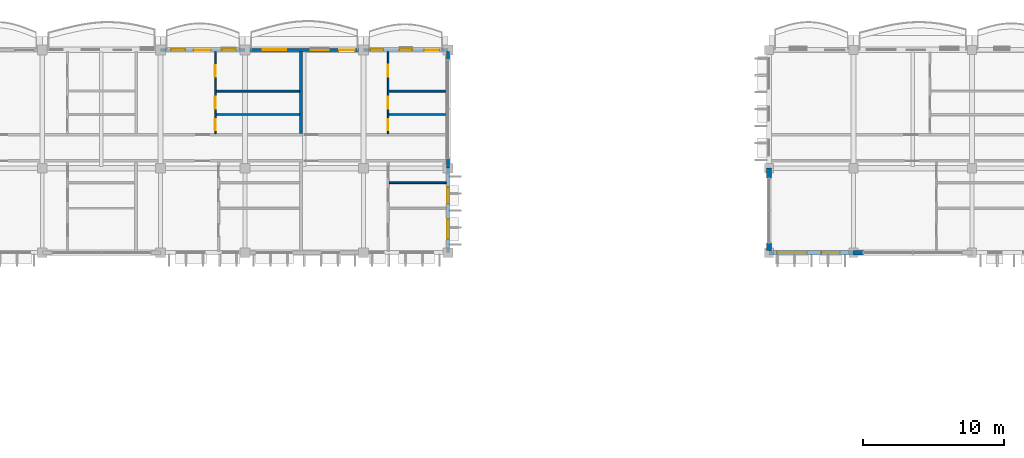
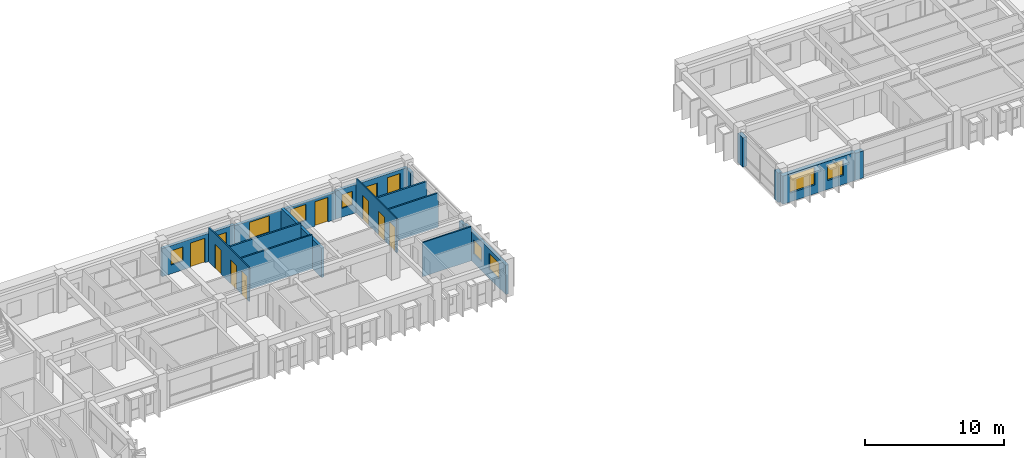
# One storey, part 36 of 79: 18 walls, 10 windows, 9 doors, 19 openings.
"""IFC4 building model written with IfcOpenShell, lengths in metres."""

from ifc_helpers import new_model, si_unit, direction, frame, frame_2d, origin, place, context, subcontext, project, spatial, rectangle, extrude, material, layer, layer_set, type_object, element, fill, save


model = new_model("IFC4")

# Units and contexts
model_context = context("Model", 3, precision=1e-05, world=origin(), true_north=direction((0.0, 1.0)))
body_context = subcontext(model_context, "Body", "Model", "MODEL_VIEW")
ifc_project = project(units=[si_unit("LENGTHUNIT", "METRE"), si_unit("AREAUNIT", "SQUARE_METRE"), si_unit("VOLUMEUNIT", "CUBIC_METRE"), si_unit("PLANEANGLEUNIT", "RADIAN"), si_unit("MASSUNIT", "GRAM", prefix="KILO"), si_unit("THERMODYNAMICTEMPERATUREUNIT", "KELVIN")], contexts=[model_context])

# Site, building, storey
site_placement = place(None, origin())
site = spatial("IfcSite", under=ifc_project, at=site_placement, CompositionType="ELEMENT")
building_placement = place(site_placement, origin())
building = spatial("IfcBuilding", under=site, at=building_placement, Name="Thalorik Housing Commons", CompositionType="ELEMENT")
storey_placement = place(building_placement, frame((0.0, 0.0, 11.39990234375)))
storey = spatial("IfcBuildingStorey", under=building, at=storey_placement, Name="L03", CompositionType="ELEMENT", Elevation=11.39990234375)

# Wall, openings, windows
ifc_material_1 = material(Name="White precast concrete C40/50", Category="concrete")
ifc_layer_1 = layer(ifc_material_1, 0.235107421875, Name="White precast concrete C40/50", Category="concrete")
ifc_layer_set_1 = layer_set([ifc_layer_1], Name="White precast concrete C40/50")
wall_type_1 = type_object("IfcWallType", Name="ARC-WAL-EXT-235", PredefinedType="STANDARD", material=ifc_layer_set_1)
wall_1_placement = place(storey_placement, frame((57.60009765625, 109.199951171875, 0.0), z_axis=(0.0, 0.0, 1.0), x_axis=(0.0, 1.0, 0.0)))
wall_1 = element("IfcWall", 1, at=wall_1_placement, inside=storey, type_object=wall_type_1, Name="L03 Exterior Wall WAL-EXT-L03-A-0090", PredefinedType="STANDARD", context=body_context, shape_type="SweptSolid", body=[
    extrude(rectangle(XDim=6.0, YDim=0.235107421875, at=frame_2d((3.0, 0.0))), origin(), (0.0, 0.0, 1.0), 2.5751953125),
])
opening_1_placement = place(wall_1_placement, frame((0.96533203125, 0.0, 0.780029296875)))
opening_1 = element("IfcOpeningElement", 2, at=opening_1_placement, cuts=wall_1, Name="Opening W-50", PredefinedType="OPENING", context=body_context, shape_type="SweptSolid", body=[
    extrude(rectangle(XDim=1.419921875, YDim=1.3798828125, at=frame_2d((0.7099609375, 0.68994140625))), frame((0.0, 0.12744140625, 0.0), z_axis=(0.0, -1.0, 0.0), x_axis=(1.0, 0.0, 0.0)), (0.0, 0.0, 1.0), 0.255126953125),
])
opening_2_placement = place(wall_1_placement, frame((3.490234375, 0.0, 0.780029296875)))
opening_2 = element("IfcOpeningElement", 3, at=opening_2_placement, cuts=wall_1, Name="Opening W-45", PredefinedType="OPENING", context=body_context, shape_type="SweptSolid", body=[
    extrude(rectangle(XDim=1.14990234375, YDim=1.25, at=frame_2d((0.574951171875, 0.625))), frame((0.0, 0.12744140625, 0.0), z_axis=(0.0, -1.0, 0.0), x_axis=(1.0, 0.0, 0.0)), (0.0, 0.0, 1.0), 0.255126953125),
])
ifc_material_2 = material(Name="Anodised aluminium and solar-control low-E glass", Category="aluminium")
window_type_1 = type_object("IfcWindowType", Name="ARC-WIN-45", PartitioningType="SINGLE_PANEL", PredefinedType="WINDOW", material=ifc_material_2)
window_1_placement = place(opening_2_placement, origin())
window_1 = element("IfcWindow", 4, at=window_1_placement, inside=storey, type_object=window_type_1, Name="L03 Facade Window 162", OverallHeight=1.25, OverallWidth=1.14990234375, PartitioningType="SINGLE_PANEL", PredefinedType="WINDOW", context=body_context, shape_type="SweptSolid", body=[
    extrude(rectangle(XDim=1.14990234375, YDim=1.25, at=frame_2d((0.574951171875, 0.625))), frame((0.0, 0.030029296875, 0.0), z_axis=(0.0, -1.0, 0.0), x_axis=(1.0, 0.0, 0.0)), (0.0, 0.0, 1.0), 0.06005859375),
])
fill(opening_2, window_1)
window_type_2 = type_object("IfcWindowType", Name="ARC-WIN-50", PartitioningType="SINGLE_PANEL", PredefinedType="WINDOW", material=ifc_material_2)
window_2_placement = place(opening_1_placement, origin())
window_2 = element("IfcWindow", 5, at=window_2_placement, inside=storey, type_object=window_type_2, Name="L03 Facade Window 161", OverallHeight=1.3798828125, OverallWidth=1.419921875, PartitioningType="SINGLE_PANEL", PredefinedType="WINDOW", context=body_context, shape_type="SweptSolid", body=[
    extrude(rectangle(XDim=1.419921875, YDim=1.3798828125, at=frame_2d((0.7099609375, 0.68994140625))), frame((0.0, 0.030029296875, 0.0), z_axis=(0.0, -1.0, 0.0), x_axis=(1.0, 0.0, 0.0)), (0.0, 0.0, 1.0), 0.06005859375),
])
fill(opening_1, window_2)

# Walls
wall_2_placement = place(storey_placement, frame((57.60009765625, 115.199951171875, 0.0), z_axis=(0.0, 0.0, 1.0), x_axis=(0.0, 1.0, 0.0)))
element("IfcWall", 6, at=wall_2_placement, inside=storey, type_object=wall_type_1, Name="L03 Exterior Wall WAL-PIERL-L03-A-0091", PredefinedType="STANDARD", context=body_context, shape_type="SweptSolid", body=[
    extrude(rectangle(XDim=0.699951171875, YDim=0.235107421875, at=frame_2d((0.35009765625, 0.0))), origin(), (0.0, 0.0, 1.0), 2.425048828125),
])
wall_3_placement = place(storey_placement, frame((57.60009765625, 122.89990234375, 0.0), z_axis=(0.0, 0.0, 1.0), x_axis=(0.0, 1.0, 0.0)))
element("IfcWall", 7, at=wall_3_placement, inside=storey, type_object=wall_type_1, Name="L03 Exterior Wall WAL-PIERR-L03-A-0091", PredefinedType="STANDARD", context=body_context, shape_type="SweptSolid", body=[
    extrude(rectangle(XDim=0.58056640625, YDim=0.235107421875, at=frame_2d((0.290283203125, 0.0))), origin(), (0.0, 0.0, 1.0), 2.425048828125),
])

# Wall, openings, door, windows
wall_4_placement = place(storey_placement, frame((57.60009765625, 123.60009765625, 0.0), z_axis=(0.0, 0.0, 1.0), x_axis=(-1.0, 0.0, 0.0)))
wall_4 = element("IfcWall", 8, at=wall_4_placement, inside=storey, type_object=wall_type_1, Name="L03 Exterior Wall WAL-EXT-L03-A-0092", PredefinedType="STANDARD", context=body_context, shape_type="SweptSolid", body=[
    extrude(rectangle(XDim=6.0, YDim=0.235107421875, at=frame_2d((3.0, 0.0))), origin(), (0.0, 0.0, 1.0), 2.47509765625),
])
opening_3_placement = place(wall_4_placement, frame((0.6201171875, 0.0, 0.0)))
opening_3 = element("IfcOpeningElement", 9, at=opening_3_placement, cuts=wall_4, Name="Opening ED-0020", PredefinedType="OPENING", context=body_context, shape_type="SweptSolid", body=[
    extrude(rectangle(XDim=1.050048828125, YDim=2.14990234375, at=frame_2d((0.52490234375, 1.074951171875))), frame((0.0, 0.12744140625, 0.0), z_axis=(0.0, -1.0, 0.0), x_axis=(1.0, 0.0, 0.0)), (0.0, 0.0, 1.0), 0.255126953125),
])
opening_4_placement = place(wall_4_placement, frame((2.53369140625, 0.0, 0.780029296875)))
opening_4 = element("IfcOpeningElement", 10, at=opening_4_placement, cuts=wall_4, Name="Opening W-01", PredefinedType="OPENING", context=body_context, shape_type="SweptSolid", body=[
    extrude(rectangle(XDim=0.89990234375, YDim=1.199951171875, at=frame_2d((0.449951171875, 0.60009765625))), frame((0.0, 0.12744140625, 0.0), z_axis=(0.0, -1.0, 0.0), x_axis=(1.0, 0.0, 0.0)), (0.0, 0.0, 1.0), 0.255126953125),
])
opening_5_placement = place(wall_4_placement, frame((4.57861328125, 0.0, 0.780029296875)))
opening_5 = element("IfcOpeningElement", 11, at=opening_5_placement, cuts=wall_4, Name="Opening W-01", PredefinedType="OPENING", context=body_context, shape_type="SweptSolid", body=[
    extrude(rectangle(XDim=0.89990234375, YDim=1.199951171875, at=frame_2d((0.449951171875, 0.60009765625))), frame((0.0, 0.12744140625, 0.0), z_axis=(0.0, -1.0, 0.0), x_axis=(1.0, 0.0, 0.0)), (0.0, 0.0, 1.0), 0.255126953125),
])
ifc_material_3 = material(Name="Anodised aluminium and laminated safety glass", Category="aluminium")
door_type_1 = type_object("IfcDoorType", Name="ARC-DR-BAL-1050", OperationType="NOTDEFINED", PredefinedType="DOOR", material=ifc_material_3)
door_1_placement = place(opening_3_placement, frame((1.050048828125, 0.0, 0.0), z_axis=(0.0, 0.0, 1.0), x_axis=(-1.0, 0.0, 0.0)))
door_1 = element("IfcDoor", 12, at=door_1_placement, inside=storey, type_object=door_type_1, Name="L03 Block A Balcony Glazed Door", OperationType="SINGLE_SWING_LEFT", OverallHeight=2.14990234375, OverallWidth=1.050048828125, PredefinedType="DOOR", context=body_context, shape_type="SweptSolid", body=[
    extrude(rectangle(XDim=1.050048828125, YDim=2.14990234375, at=frame_2d((0.52490234375, 1.074951171875))), frame((0.0, 0.02490234375, 0.0), z_axis=(0.0, -1.0, 0.0), x_axis=(1.0, 0.0, 0.0)), (0.0, 0.0, 1.0), 0.050048828125),
])
fill(opening_3, door_1)
window_type_3 = type_object("IfcWindowType", Name="ARC-WIN-01", PartitioningType="SINGLE_PANEL", PredefinedType="WINDOW", material=ifc_material_2)
window_3_placement = place(opening_4_placement, origin())
window_3 = element("IfcWindow", 13, at=window_3_placement, inside=storey, type_object=window_type_3, Name="L03 Facade Window 163", OverallHeight=1.199951171875, OverallWidth=0.89990234375, PartitioningType="SINGLE_PANEL", PredefinedType="WINDOW", context=body_context, shape_type="SweptSolid", body=[
    extrude(rectangle(XDim=0.89990234375, YDim=1.199951171875, at=frame_2d((0.449951171875, 0.60009765625))), frame((0.0, 0.030029296875, 0.0), z_axis=(0.0, -1.0, 0.0), x_axis=(1.0, 0.0, 0.0)), (0.0, 0.0, 1.0), 0.06005859375),
])
fill(opening_4, window_3)
window_4_placement = place(opening_5_placement, origin())
window_4 = element("IfcWindow", 14, at=window_4_placement, inside=storey, type_object=window_type_3, Name="L03 Facade Window 164", OverallHeight=1.199951171875, OverallWidth=0.89990234375, PartitioningType="SINGLE_PANEL", PredefinedType="WINDOW", context=body_context, shape_type="SweptSolid", body=[
    extrude(rectangle(XDim=0.89990234375, YDim=1.199951171875, at=frame_2d((0.449951171875, 0.60009765625))), frame((0.0, 0.030029296875, 0.0), z_axis=(0.0, -1.0, 0.0), x_axis=(1.0, 0.0, 0.0)), (0.0, 0.0, 1.0), 0.06005859375),
])
fill(opening_5, window_4)

wall_5_placement = place(storey_placement, frame((51.60009765625, 123.60009765625, 0.0), z_axis=(0.0, 0.0, 1.0), x_axis=(-1.0, 0.0, 0.0)))
wall_5 = element("IfcWall", 15, at=wall_5_placement, inside=storey, type_object=wall_type_1, Name="L03 Exterior Wall WAL-EXT-L03-A-0093", PredefinedType="STANDARD", context=body_context, shape_type="SweptSolid", body=[
    extrude(rectangle(XDim=8.400146484375, YDim=0.235107421875, at=frame_2d((4.2001953125, 0.0))), origin(), (0.0, 0.0, 1.0), 2.375),
])
opening_6_placement = place(wall_5_placement, frame((0.6201171875, 0.0, 0.0)))
opening_6 = element("IfcOpeningElement", 16, at=opening_6_placement, cuts=wall_5, Name="Opening ED-0021", PredefinedType="OPENING", context=body_context, shape_type="SweptSolid", body=[
    extrude(rectangle(XDim=1.10009765625, YDim=2.14990234375, at=frame_2d((0.550048828125, 1.074951171875))), frame((0.0, 0.12744140625, 0.0), z_axis=(0.0, -1.0, 0.0), x_axis=(1.0, 0.0, 0.0)), (0.0, 0.0, 1.0), 0.255126953125),
])
opening_7_placement = place(wall_5_placement, frame((2.445068359375, 0.0, 0.780029296875)))
opening_7 = element("IfcOpeningElement", 17, at=opening_7_placement, cuts=wall_5, Name="Opening W-06", PredefinedType="OPENING", context=body_context, shape_type="SweptSolid", body=[
    extrude(rectangle(XDim=1.300048828125, YDim=1.39990234375, at=frame_2d((0.64990234375, 0.699951171875))), frame((0.0, 0.12744140625, 0.0), z_axis=(0.0, -1.0, 0.0), x_axis=(1.0, 0.0, 0.0)), (0.0, 0.0, 1.0), 0.255126953125),
])
opening_8_placement = place(wall_5_placement, frame((5.47509765625, 0.0, 0.780029296875)))
opening_8 = element("IfcOpeningElement", 18, at=opening_8_placement, cuts=wall_5, Name="Opening W-55", PredefinedType="OPENING", context=body_context, shape_type="SweptSolid", body=[
    extrude(rectangle(XDim=1.679931640625, YDim=1.4599609375, at=frame_2d((0.83984375, 0.72998046875))), frame((0.0, 0.12744140625, 0.0), z_axis=(0.0, -1.0, 0.0), x_axis=(1.0, 0.0, 0.0)), (0.0, 0.0, 1.0), 0.255126953125),
])
door_type_2 = type_object("IfcDoorType", Name="ARC-DR-BAL-1100", OperationType="NOTDEFINED", PredefinedType="DOOR", material=ifc_material_3)
door_2_placement = place(opening_6_placement, frame((1.10009765625, 0.0, 0.0), z_axis=(0.0, 0.0, 1.0), x_axis=(-1.0, 0.0, 0.0)))
door_2 = element("IfcDoor", 19, at=door_2_placement, inside=storey, type_object=door_type_2, Name="L03 Block A Balcony Glazed Door", OperationType="SINGLE_SWING_RIGHT", OverallHeight=2.14990234375, OverallWidth=1.10009765625, PredefinedType="DOOR", context=body_context, shape_type="SweptSolid", body=[
    extrude(rectangle(XDim=1.10009765625, YDim=2.14990234375, at=frame_2d((0.550048828125, 1.074951171875))), frame((0.0, 0.02490234375, 0.0), z_axis=(0.0, -1.0, 0.0), x_axis=(1.0, 0.0, 0.0)), (0.0, 0.0, 1.0), 0.050048828125),
])
fill(opening_6, door_2)
window_type_4 = type_object("IfcWindowType", Name="ARC-WIN-06", PartitioningType="SINGLE_PANEL", PredefinedType="WINDOW", material=ifc_material_2)
window_5_placement = place(opening_7_placement, origin())
window_5 = element("IfcWindow", 20, at=window_5_placement, inside=storey, type_object=window_type_4, Name="L03 Facade Window 165", OverallHeight=1.39990234375, OverallWidth=1.300048828125, PartitioningType="SINGLE_PANEL", PredefinedType="WINDOW", context=body_context, shape_type="SweptSolid", body=[
    extrude(rectangle(XDim=1.300048828125, YDim=1.39990234375, at=frame_2d((0.64990234375, 0.699951171875))), frame((0.0, 0.030029296875, 0.0), z_axis=(0.0, -1.0, 0.0), x_axis=(1.0, 0.0, 0.0)), (0.0, 0.0, 1.0), 0.06005859375),
])
fill(opening_7, window_5)
window_type_5 = type_object("IfcWindowType", Name="ARC-WIN-55", PartitioningType="DOUBLE_PANEL_VERTICAL", PredefinedType="WINDOW", material=ifc_material_2)
window_6_placement = place(opening_8_placement, origin())
window_6 = element("IfcWindow", 21, at=window_6_placement, inside=storey, type_object=window_type_5, Name="L03 Facade Window 166", OverallHeight=1.4599609375, OverallWidth=1.679931640625, PartitioningType="DOUBLE_PANEL_VERTICAL", PredefinedType="WINDOW", context=body_context, shape_type="SweptSolid", body=[
    extrude(rectangle(XDim=1.679931640625, YDim=1.4599609375, at=frame_2d((0.83984375, 0.72998046875))), frame((0.0, 0.030029296875, 0.0), z_axis=(0.0, -1.0, 0.0), x_axis=(1.0, 0.0, 0.0)), (0.0, 0.0, 1.0), 0.06005859375),
])
fill(opening_8, window_6)

wall_6_placement = place(storey_placement, frame((43.199951171875, 123.60009765625, 0.0), z_axis=(0.0, 0.0, 1.0), x_axis=(-1.0, 0.0, 0.0)))
wall_6 = element("IfcWall", 22, at=wall_6_placement, inside=storey, type_object=wall_type_1, Name="L03 Exterior Wall WAL-EXT-L03-A-0094", PredefinedType="STANDARD", context=body_context, shape_type="SweptSolid", body=[
    extrude(rectangle(XDim=6.0, YDim=0.235107421875, at=frame_2d((3.0, 0.0))), origin(), (0.0, 0.0, 1.0), 2.47509765625),
])
opening_9_placement = place(wall_6_placement, frame((2.4443359375, 0.0, 0.0)))
opening_9 = element("IfcOpeningElement", 23, at=opening_9_placement, cuts=wall_6, Name="Opening ED-0022", PredefinedType="OPENING", context=body_context, shape_type="SweptSolid", body=[
    extrude(rectangle(XDim=1.199951171875, YDim=2.14990234375, at=frame_2d((0.60009765625, 1.074951171875))), frame((0.0, 0.12744140625, 0.0), z_axis=(0.0, -1.0, 0.0), x_axis=(1.0, 0.0, 0.0)), (0.0, 0.0, 1.0), 0.255126953125),
])
opening_10_placement = place(wall_6_placement, frame((0.652099609375, 0.0, 0.780029296875)))
opening_10 = element("IfcOpeningElement", 24, at=opening_10_placement, cuts=wall_6, Name="Opening W-02", PredefinedType="OPENING", context=body_context, shape_type="SweptSolid", body=[
    extrude(rectangle(XDim=1.0, YDim=1.25, at=frame_2d((0.5, 0.625))), frame((0.0, 0.12744140625, 0.0), z_axis=(0.0, -1.0, 0.0), x_axis=(1.0, 0.0, 0.0)), (0.0, 0.0, 1.0), 0.255126953125),
])
opening_11_placement = place(wall_6_placement, frame((4.252197265625, 0.0, 0.780029296875)))
opening_11 = element("IfcOpeningElement", 25, at=opening_11_placement, cuts=wall_6, Name="Opening W-02", PredefinedType="OPENING", context=body_context, shape_type="SweptSolid", body=[
    extrude(rectangle(XDim=1.0, YDim=1.25, at=frame_2d((0.5, 0.625))), frame((0.0, 0.12744140625, 0.0), z_axis=(0.0, -1.0, 0.0), x_axis=(1.0, 0.0, 0.0)), (0.0, 0.0, 1.0), 0.255126953125),
])
door_type_3 = type_object("IfcDoorType", Name="ARC-DR-BAL-1200", OperationType="NOTDEFINED", PredefinedType="DOOR", material=ifc_material_3)
door_3_placement = place(opening_9_placement, frame((1.199951171875, 0.0, 0.0), z_axis=(0.0, 0.0, 1.0), x_axis=(-1.0, 0.0, 0.0)))
door_3 = element("IfcDoor", 26, at=door_3_placement, inside=storey, type_object=door_type_3, Name="L03 Block A Balcony Glazed Door", OperationType="SINGLE_SWING_LEFT", OverallHeight=2.14990234375, OverallWidth=1.199951171875, PredefinedType="DOOR", context=body_context, shape_type="SweptSolid", body=[
    extrude(rectangle(XDim=1.199951171875, YDim=2.14990234375, at=frame_2d((0.60009765625, 1.074951171875))), frame((0.0, 0.02490234375, 0.0), z_axis=(0.0, -1.0, 0.0), x_axis=(1.0, 0.0, 0.0)), (0.0, 0.0, 1.0), 0.050048828125),
])
fill(opening_9, door_3)
window_type_6 = type_object("IfcWindowType", Name="ARC-WIN-02", PartitioningType="SINGLE_PANEL", PredefinedType="WINDOW", material=ifc_material_2)
window_7_placement = place(opening_10_placement, origin())
window_7 = element("IfcWindow", 27, at=window_7_placement, inside=storey, type_object=window_type_6, Name="L03 Facade Window 167", OverallHeight=1.25, OverallWidth=1.0, PartitioningType="SINGLE_PANEL", PredefinedType="WINDOW", context=body_context, shape_type="SweptSolid", body=[
    extrude(rectangle(XDim=1.0, YDim=1.25, at=frame_2d((0.5, 0.625))), frame((0.0, 0.030029296875, 0.0), z_axis=(0.0, -1.0, 0.0), x_axis=(1.0, 0.0, 0.0)), (0.0, 0.0, 1.0), 0.06005859375),
])
fill(opening_10, window_7)
window_8_placement = place(opening_11_placement, origin())
window_8 = element("IfcWindow", 28, at=window_8_placement, inside=storey, type_object=window_type_6, Name="L03 Facade Window 168", OverallHeight=1.25, OverallWidth=1.0, PartitioningType="SINGLE_PANEL", PredefinedType="WINDOW", context=body_context, shape_type="SweptSolid", body=[
    extrude(rectangle(XDim=1.0, YDim=1.25, at=frame_2d((0.5, 0.625))), frame((0.0, 0.030029296875, 0.0), z_axis=(0.0, -1.0, 0.0), x_axis=(1.0, 0.0, 0.0)), (0.0, 0.0, 1.0), 0.06005859375),
])
fill(opening_11, window_8)

# Walls
ifc_layer_2 = layer(ifc_material_1, 0.35009765625, Name="White precast concrete C40/50", Category="concrete")
ifc_layer_set_2 = layer_set([ifc_layer_2], Name="White precast concrete C40/50")
wall_type_2 = type_object("IfcWallType", Name="ARC-WAL-EXT-350", PredefinedType="STANDARD", material=ifc_layer_set_2)
wall_7_placement = place(storey_placement, frame((80.39990234375, 115.199951171875, 0.0), z_axis=(0.0, 0.0, 1.0), x_axis=(0.0, -1.0, 0.0)))
element("IfcWall", 29, at=wall_7_placement, inside=storey, type_object=wall_type_2, Name="L03 Exterior Wall WAL-PIERL-L03-B-0499", PredefinedType="STANDARD", context=body_context, shape_type="SweptSolid", body=[
    extrude(rectangle(XDim=0.699951171875, YDim=0.35009765625, at=frame_2d((0.35009765625, 0.0))), origin(), (0.0, 0.0, 1.0), 2.5751953125),
])
wall_8_placement = place(storey_placement, frame((80.39990234375, 109.89990234375, 0.0), z_axis=(0.0, 0.0, 1.0), x_axis=(0.0, -1.0, 0.0)))
element("IfcWall", 30, at=wall_8_placement, inside=storey, type_object=wall_type_2, Name="L03 Exterior Wall WAL-PIERR-L03-B-0499", PredefinedType="STANDARD", context=body_context, shape_type="SweptSolid", body=[
    extrude(rectangle(XDim=0.52294921875, YDim=0.35009765625, at=frame_2d((0.261474609375, 0.0))), origin(), (0.0, 0.0, 1.0), 2.5751953125),
])

# Wall, openings, windows
wall_9_placement = place(storey_placement, frame((80.39990234375, 109.199951171875, 0.0), z_axis=(0.0, 0.0, 1.0), x_axis=(1.0, 0.0, 0.0)))
wall_9 = element("IfcWall", 31, at=wall_9_placement, inside=storey, type_object=wall_type_2, Name="L03 Exterior Wall WAL-EXT-L03-B-0500", PredefinedType="STANDARD", context=body_context, shape_type="SweptSolid", body=[
    extrude(rectangle(XDim=6.0, YDim=0.35009765625, at=frame_2d((3.0, 0.0))), origin(), (0.0, 0.0, 1.0), 2.47509765625),
])
opening_12_placement = place(wall_9_placement, frame((0.580078125, 0.0, 0.780029296875)))
opening_12 = element("IfcOpeningElement", 32, at=opening_12_placement, cuts=wall_9, Name="Opening W-26", PredefinedType="OPENING", context=body_context, shape_type="SweptSolid", body=[
    extrude(rectangle(XDim=2.10009765625, YDim=1.550048828125, at=frame_2d((1.050048828125, 0.77490234375))), frame((0.0, 0.18505859375, 0.0), z_axis=(0.0, -1.0, 0.0), x_axis=(1.0, 0.0, 0.0)), (0.0, 0.0, 1.0), 0.3701171875),
])
opening_13_placement = place(wall_9_placement, frame((3.7099609375, 0.0, 0.780029296875)))
opening_13 = element("IfcOpeningElement", 33, at=opening_13_placement, cuts=wall_9, Name="Opening W-48", PredefinedType="OPENING", context=body_context, shape_type="SweptSolid", body=[
    extrude(rectangle(XDim=1.320068359375, YDim=1.35009765625, at=frame_2d((0.66015625, 0.675048828125))), frame((0.0, 0.18505859375, 0.0), z_axis=(0.0, -1.0, 0.0), x_axis=(1.0, 0.0, 0.0)), (0.0, 0.0, 1.0), 0.3701171875),
])
window_type_7 = type_object("IfcWindowType", Name="ARC-WIN-26", PartitioningType="DOUBLE_PANEL_VERTICAL", PredefinedType="WINDOW", material=ifc_material_2)
window_9_placement = place(opening_12_placement, origin())
window_9 = element("IfcWindow", 34, at=window_9_placement, inside=storey, type_object=window_type_7, Name="L03 Facade Window 897", OverallHeight=1.550048828125, OverallWidth=2.10009765625, PartitioningType="DOUBLE_PANEL_VERTICAL", PredefinedType="WINDOW", context=body_context, shape_type="SweptSolid", body=[
    extrude(rectangle(XDim=2.10009765625, YDim=1.550048828125, at=frame_2d((1.050048828125, 0.77490234375))), frame((0.0, 0.030029296875, 0.0), z_axis=(0.0, -1.0, 0.0), x_axis=(1.0, 0.0, 0.0)), (0.0, 0.0, 1.0), 0.06005859375),
])
fill(opening_12, window_9)
window_type_8 = type_object("IfcWindowType", Name="ARC-WIN-48", PartitioningType="SINGLE_PANEL", PredefinedType="WINDOW", material=ifc_material_2)
window_10_placement = place(opening_13_placement, origin())
window_10 = element("IfcWindow", 35, at=window_10_placement, inside=storey, type_object=window_type_8, Name="L03 Facade Window 898", OverallHeight=1.35009765625, OverallWidth=1.320068359375, PartitioningType="SINGLE_PANEL", PredefinedType="WINDOW", context=body_context, shape_type="SweptSolid", body=[
    extrude(rectangle(XDim=1.320068359375, YDim=1.35009765625, at=frame_2d((0.66015625, 0.675048828125))), frame((0.0, 0.030029296875, 0.0), z_axis=(0.0, -1.0, 0.0), x_axis=(1.0, 0.0, 0.0)), (0.0, 0.0, 1.0), 0.06005859375),
])
fill(opening_13, window_10)

# Wall
wall_10_placement = place(storey_placement, frame((86.39990234375, 109.199951171875, 0.0), z_axis=(0.0, 0.0, 1.0), x_axis=(1.0, 0.0, 0.0)))
element("IfcWall", 36, at=wall_10_placement, inside=storey, type_object=wall_type_2, Name="L03 Exterior Wall WAL-PIERL-L03-B-0501", PredefinedType="STANDARD", context=body_context, shape_type="SweptSolid", body=[
    extrude(rectangle(XDim=0.7001953125, YDim=0.35009765625, at=frame_2d((0.35009765625, 0.0))), origin(), (0.0, 0.0, 1.0), 2.375),
])

# Wall, openings, doors
ifc_material_4 = material(Name="Gypsum light stud partition", Category="masonry")
ifc_layer_3 = layer(ifc_material_4, 0.10009765625, Name="Gypsum light stud partition", Category="masonry")
ifc_layer_set_3 = layer_set([ifc_layer_3], Name="Gypsum light stud partition")
wall_type_3 = type_object("IfcWallType", Name="ARC-WAL-PART-100", PredefinedType="PARTITIONING", material=ifc_layer_set_3)
wall_11_placement = place(storey_placement, frame((41.085693359375, 117.656982421875, 0.0), z_axis=(0.0, 0.0, 1.0), x_axis=(0.0, 1.0, 0.0)))
wall_11 = element("IfcWall", 37, at=wall_11_placement, inside=storey, type_object=wall_type_3, Name="L03 Unit 2B Spine Partition", PredefinedType="PARTITIONING", context=body_context, shape_type="SweptSolid", body=[
    extrude(rectangle(XDim=5.823486328125, YDim=0.10009765625, at=frame_2d((2.91162109375, 0.0))), origin(), (0.0, 0.0, 1.0), 3.0),
])
opening_14_placement = place(wall_11_placement, frame((0.23828125, 0.0, 0.0)))
opening_14 = element("IfcOpeningElement", 38, at=opening_14_placement, cuts=wall_11, Name="Opening ID-0510", PredefinedType="OPENING", context=body_context, shape_type="SweptSolid", body=[
    extrude(rectangle(XDim=0.800048828125, YDim=2.10009765625, at=frame_2d((0.39990234375, 1.050048828125))), frame((0.0, 0.06005859375, 0.0), z_axis=(0.0, -1.0, 0.0), x_axis=(1.0, 0.0, 0.0)), (0.0, 0.0, 1.0), 0.1201171875),
])
opening_15_placement = place(wall_11_placement, frame((1.7626953125, 0.0, 0.0)))
opening_15 = element("IfcOpeningElement", 39, at=opening_15_placement, cuts=wall_11, Name="Opening ID-0511", PredefinedType="OPENING", context=body_context, shape_type="SweptSolid", body=[
    extrude(rectangle(XDim=0.85009765625, YDim=2.10009765625, at=frame_2d((0.425048828125, 1.050048828125))), frame((0.0, 0.06005859375, 0.0), z_axis=(0.0, -1.0, 0.0), x_axis=(1.0, 0.0, 0.0)), (0.0, 0.0, 1.0), 0.1201171875),
])
opening_16_placement = place(wall_11_placement, frame((4.027587890625, 0.0, 0.0)))
opening_16 = element("IfcOpeningElement", 40, at=opening_16_placement, cuts=wall_11, Name="Opening ID-0512", PredefinedType="OPENING", context=body_context, shape_type="SweptSolid", body=[
    extrude(rectangle(XDim=0.820068359375, YDim=2.080078125, at=frame_2d((0.41015625, 1.0400390625))), frame((0.0, 0.06005859375, 0.0), z_axis=(0.0, -1.0, 0.0), x_axis=(1.0, 0.0, 0.0)), (0.0, 0.0, 1.0), 0.1201171875),
])
ifc_material_5 = material(Name="Moisture-resistant timber", Category="wood")
door_type_4 = type_object("IfcDoorType", Name="ARC-DR-INT-800", OperationType="NOTDEFINED", PredefinedType="DOOR", material=ifc_material_5)
door_4_placement = place(opening_14_placement, origin())
door_4 = element("IfcDoor", 41, at=door_4_placement, inside=storey, type_object=door_type_4, Name="L03 Flat Bathroom Door", OperationType="SINGLE_SWING_LEFT", OverallHeight=2.10009765625, OverallWidth=0.800048828125, PredefinedType="DOOR", context=body_context, shape_type="SweptSolid", body=[
    extrude(rectangle(XDim=0.800048828125, YDim=2.10009765625, at=frame_2d((0.39990234375, 1.050048828125))), frame((0.0, 0.02490234375, 0.0), z_axis=(0.0, -1.0, 0.0), x_axis=(1.0, 0.0, 0.0)), (0.0, 0.0, 1.0), 0.050048828125),
])
fill(opening_14, door_4)
ifc_material_6 = material(Name="Engineered oak timber", Category="wood")
door_type_5 = type_object("IfcDoorType", Name="ARC-DR-INT-820", OperationType="NOTDEFINED", PredefinedType="DOOR", material=ifc_material_6)
door_5_placement = place(opening_16_placement, origin())
door_5 = element("IfcDoor", 42, at=door_5_placement, inside=storey, type_object=door_type_5, Name="L03 Master Bedroom Door", OperationType="SINGLE_SWING_LEFT", OverallHeight=2.080078125, OverallWidth=0.820068359375, PredefinedType="DOOR", context=body_context, shape_type="SweptSolid", body=[
    extrude(rectangle(XDim=0.820068359375, YDim=2.080078125, at=frame_2d((0.41015625, 1.0400390625))), frame((0.0, 0.02490234375, 0.0), z_axis=(0.0, -1.0, 0.0), x_axis=(1.0, 0.0, 0.0)), (0.0, 0.0, 1.0), 0.050048828125),
])
fill(opening_16, door_5)
door_type_6 = type_object("IfcDoorType", Name="ARC-DR-INT-850", OperationType="NOTDEFINED", PredefinedType="DOOR", material=ifc_material_6)
door_6_placement = place(opening_15_placement, origin())
door_6 = element("IfcDoor", 43, at=door_6_placement, inside=storey, type_object=door_type_6, Name="L03 Eat-In Kitchen Door", OperationType="SINGLE_SWING_RIGHT", OverallHeight=2.10009765625, OverallWidth=0.85009765625, PredefinedType="DOOR", context=body_context, shape_type="SweptSolid", body=[
    extrude(rectangle(XDim=0.85009765625, YDim=2.10009765625, at=frame_2d((0.425048828125, 1.050048828125))), frame((0.0, 0.02490234375, 0.0), z_axis=(0.0, -1.0, 0.0), x_axis=(1.0, 0.0, 0.0)), (0.0, 0.0, 1.0), 0.050048828125),
])
fill(opening_15, door_6)

wall_12_placement = place(storey_placement, frame((53.352783203125, 117.656982421875, 0.0), z_axis=(0.0, 0.0, 1.0), x_axis=(0.0, 1.0, 0.0)))
wall_12 = element("IfcWall", 44, at=wall_12_placement, inside=storey, type_object=wall_type_3, Name="L03 Unit 3B Spine Partition", PredefinedType="PARTITIONING", context=body_context, shape_type="SweptSolid", body=[
    extrude(rectangle(XDim=5.823486328125, YDim=0.10009765625, at=frame_2d((2.91162109375, 0.0))), origin(), (0.0, 0.0, 1.0), 3.0),
])
opening_17_placement = place(wall_12_placement, frame((0.23828125, 0.0, 0.0)))
opening_17 = element("IfcOpeningElement", 45, at=opening_17_placement, cuts=wall_12, Name="Opening ID-0516", PredefinedType="OPENING", context=body_context, shape_type="SweptSolid", body=[
    extrude(rectangle(XDim=0.800048828125, YDim=2.10009765625, at=frame_2d((0.39990234375, 1.050048828125))), frame((0.0, 0.06005859375, 0.0), z_axis=(0.0, -1.0, 0.0), x_axis=(1.0, 0.0, 0.0)), (0.0, 0.0, 1.0), 0.1201171875),
])
opening_18_placement = place(wall_12_placement, frame((1.7626953125, 0.0, 0.0)))
opening_18 = element("IfcOpeningElement", 46, at=opening_18_placement, cuts=wall_12, Name="Opening ID-0517", PredefinedType="OPENING", context=body_context, shape_type="SweptSolid", body=[
    extrude(rectangle(XDim=0.85009765625, YDim=2.10009765625, at=frame_2d((0.425048828125, 1.050048828125))), frame((0.0, 0.06005859375, 0.0), z_axis=(0.0, -1.0, 0.0), x_axis=(1.0, 0.0, 0.0)), (0.0, 0.0, 1.0), 0.1201171875),
])
opening_19_placement = place(wall_12_placement, frame((4.027587890625, 0.0, 0.0)))
opening_19 = element("IfcOpeningElement", 47, at=opening_19_placement, cuts=wall_12, Name="Opening ID-0518", PredefinedType="OPENING", context=body_context, shape_type="SweptSolid", body=[
    extrude(rectangle(XDim=0.85009765625, YDim=2.10009765625, at=frame_2d((0.425048828125, 1.050048828125))), frame((0.0, 0.06005859375, 0.0), z_axis=(0.0, -1.0, 0.0), x_axis=(1.0, 0.0, 0.0)), (0.0, 0.0, 1.0), 0.1201171875),
])
door_7_placement = place(opening_17_placement, origin())
door_7 = element("IfcDoor", 48, at=door_7_placement, inside=storey, type_object=door_type_4, Name="L03 Flat Bathroom Door", OperationType="SINGLE_SWING_LEFT", OverallHeight=2.10009765625, OverallWidth=0.800048828125, PredefinedType="DOOR", context=body_context, shape_type="SweptSolid", body=[
    extrude(rectangle(XDim=0.800048828125, YDim=2.10009765625, at=frame_2d((0.39990234375, 1.050048828125))), frame((0.0, 0.02490234375, 0.0), z_axis=(0.0, -1.0, 0.0), x_axis=(1.0, 0.0, 0.0)), (0.0, 0.0, 1.0), 0.050048828125),
])
fill(opening_17, door_7)
door_8_placement = place(opening_18_placement, origin())
door_8 = element("IfcDoor", 49, at=door_8_placement, inside=storey, type_object=door_type_6, Name="L03 Galley Kitchen Door", OperationType="SINGLE_SWING_RIGHT", OverallHeight=2.10009765625, OverallWidth=0.85009765625, PredefinedType="DOOR", context=body_context, shape_type="SweptSolid", body=[
    extrude(rectangle(XDim=0.85009765625, YDim=2.10009765625, at=frame_2d((0.425048828125, 1.050048828125))), frame((0.0, 0.02490234375, 0.0), z_axis=(0.0, -1.0, 0.0), x_axis=(1.0, 0.0, 0.0)), (0.0, 0.0, 1.0), 0.050048828125),
])
fill(opening_18, door_8)
door_9_placement = place(opening_19_placement, origin())
door_9 = element("IfcDoor", 50, at=door_9_placement, inside=storey, type_object=door_type_6, Name="L03 Double Bedroom Door", OperationType="SINGLE_SWING_LEFT", OverallHeight=2.10009765625, OverallWidth=0.85009765625, PredefinedType="DOOR", context=body_context, shape_type="SweptSolid", body=[
    extrude(rectangle(XDim=0.85009765625, YDim=2.10009765625, at=frame_2d((0.425048828125, 1.050048828125))), frame((0.0, 0.02490234375, 0.0), z_axis=(0.0, -1.0, 0.0), x_axis=(1.0, 0.0, 0.0)), (0.0, 0.0, 1.0), 0.050048828125),
])
fill(opening_19, door_9)

# Walls
ifc_material_7 = material(Name="Gypsum moisture-resistant partition", Category="masonry")
ifc_layer_4 = layer(ifc_material_7, 0.114990234375, Name="Gypsum moisture-resistant partition", Category="masonry")
ifc_layer_set_4 = layer_set([ifc_layer_4], Name="Gypsum moisture-resistant partition")
wall_type_4 = type_object("IfcWallType", Name="ARC-WAL-PART-115", PredefinedType="PARTITIONING", material=ifc_layer_set_4)
wall_13_placement = place(storey_placement, frame((53.431884765625, 114.169677734375, 0.0), z_axis=(0.0, 0.0, 1.0), x_axis=(1.0, 0.0, 0.0)))
element("IfcWall", 51, at=wall_13_placement, inside=storey, type_object=wall_type_4, Name="L03 Unit 3 Wet Wall", PredefinedType="PARTITIONING", context=body_context, shape_type="SweptSolid", body=[
    extrude(rectangle(XDim=4.048583984375, YDim=0.114990234375, at=frame_2d((2.0244140625, 0.0))), origin(), (0.0, 0.0, 1.0), 3.0),
])
ifc_material_8 = material(Name="Gypsum acoustic stud partition", Category="masonry")
ifc_layer_5 = layer(ifc_material_8, 0.125, Name="Gypsum acoustic stud partition", Category="masonry")
ifc_layer_set_5 = layer_set([ifc_layer_5], Name="Gypsum acoustic stud partition")
wall_type_5 = type_object("IfcWallType", Name="ARC-WAL-PART-125", PredefinedType="PARTITIONING", material=ifc_layer_set_5)
wall_14_placement = place(storey_placement, frame((41.1376953125, 119.010498046875, 0.0), z_axis=(0.0, 0.0, 1.0), x_axis=(1.0, 0.0, 0.0)))
element("IfcWall", 52, at=wall_14_placement, inside=storey, type_object=wall_type_5, Name="L03 Unit 2B Wet Wall", PredefinedType="PARTITIONING", context=body_context, shape_type="SweptSolid", body=[
    extrude(rectangle(XDim=5.930419921875, YDim=0.125, at=frame_2d((2.96533203125, 0.0))), origin(), (0.0, 0.0, 1.0), 3.0),
])
wall_15_placement = place(storey_placement, frame((53.40478515625, 119.010498046875, 0.0), z_axis=(0.0, 0.0, 1.0), x_axis=(1.0, 0.0, 0.0)))
element("IfcWall", 53, at=wall_15_placement, inside=storey, type_object=wall_type_5, Name="L03 Unit 3B Wet Wall", PredefinedType="PARTITIONING", context=body_context, shape_type="SweptSolid", body=[
    extrude(rectangle(XDim=4.13525390625, YDim=0.125, at=frame_2d((2.067626953125, 0.0))), origin(), (0.0, 0.0, 1.0), 3.0),
])
ifc_material_9 = material(Name="Ceramic masonry partition wall", Category="masonry")
ifc_layer_6 = layer(ifc_material_9, 0.139892578125, Name="Ceramic masonry partition wall", Category="masonry")
ifc_layer_set_6 = layer_set([ifc_layer_6], Name="Ceramic masonry partition wall")
wall_type_6 = type_object("IfcWallType", Name="ARC-WAL-PART-140", PredefinedType="PARTITIONING", material=ifc_layer_set_6)
wall_16_placement = place(storey_placement, frame((41.1376953125, 120.67919921875, 0.0), z_axis=(0.0, 0.0, 1.0), x_axis=(1.0, 0.0, 0.0)))
element("IfcWall", 54, at=wall_16_placement, inside=storey, type_object=wall_type_6, Name="L03 Unit 2B Bedroom Partition", PredefinedType="PARTITIONING", context=body_context, shape_type="SweptSolid", body=[
    extrude(rectangle(XDim=5.930419921875, YDim=0.139892578125, at=frame_2d((2.96533203125, 0.0))), origin(), (0.0, 0.0, 1.0), 3.0),
])
wall_17_placement = place(storey_placement, frame((53.40478515625, 120.67919921875, 0.0), z_axis=(0.0, 0.0, 1.0), x_axis=(1.0, 0.0, 0.0)))
element("IfcWall", 55, at=wall_17_placement, inside=storey, type_object=wall_type_6, Name="L03 Unit 3B Bedroom Partition", PredefinedType="PARTITIONING", context=body_context, shape_type="SweptSolid", body=[
    extrude(rectangle(XDim=4.13525390625, YDim=0.139892578125, at=frame_2d((2.067626953125, 0.0))), origin(), (0.0, 0.0, 1.0), 3.0),
])
ifc_material_10 = material(Name="Precast concrete C40/50 acoustic wall", Category="concrete")
ifc_layer_7 = layer(ifc_material_10, 0.219970703125, Name="Precast concrete C40/50 acoustic wall", Category="concrete")
ifc_layer_set_7 = layer_set([ifc_layer_7], Name="Precast concrete C40/50 acoustic wall")
wall_type_7 = type_object("IfcWallType", Name="ARC-WAL-PARTY-220", PredefinedType="PARTITIONING", material=ifc_layer_set_7)
wall_18_placement = place(storey_placement, frame((47.179931640625, 117.656982421875, 0.0), z_axis=(0.0, 0.0, 1.0), x_axis=(0.0, 1.0, 0.0)))
element("IfcWall", 56, at=wall_18_placement, inside=storey, type_object=wall_type_7, Name="L03 Inter-Tenancy Wall 2B", PredefinedType="PARTITIONING", context=body_context, shape_type="SweptSolid", body=[
    extrude(rectangle(XDim=5.823486328125, YDim=0.219970703125, at=frame_2d((2.91162109375, 0.0))), origin(), (0.0, 0.0, 1.0), 2.585205078125),
])

save(model, "model.ifc")
